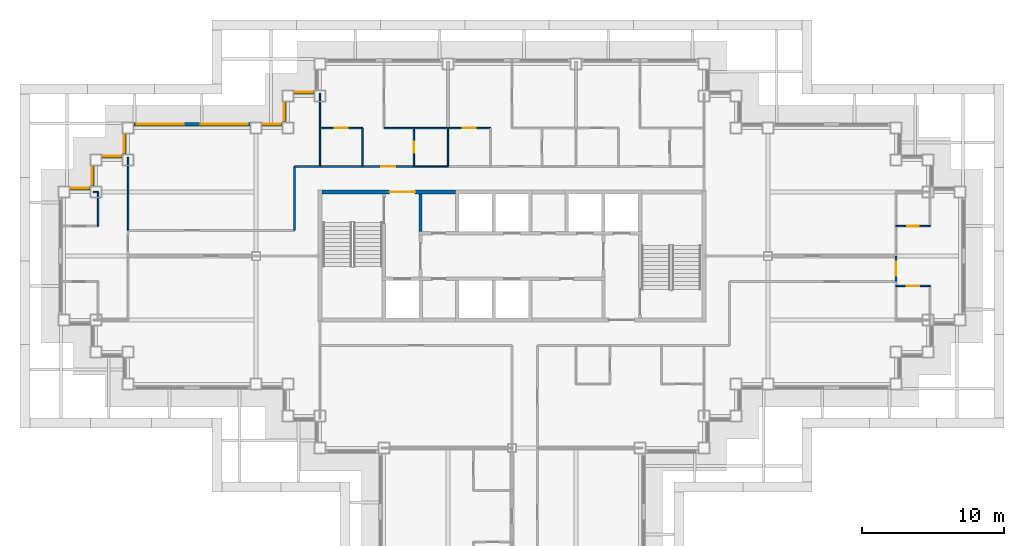
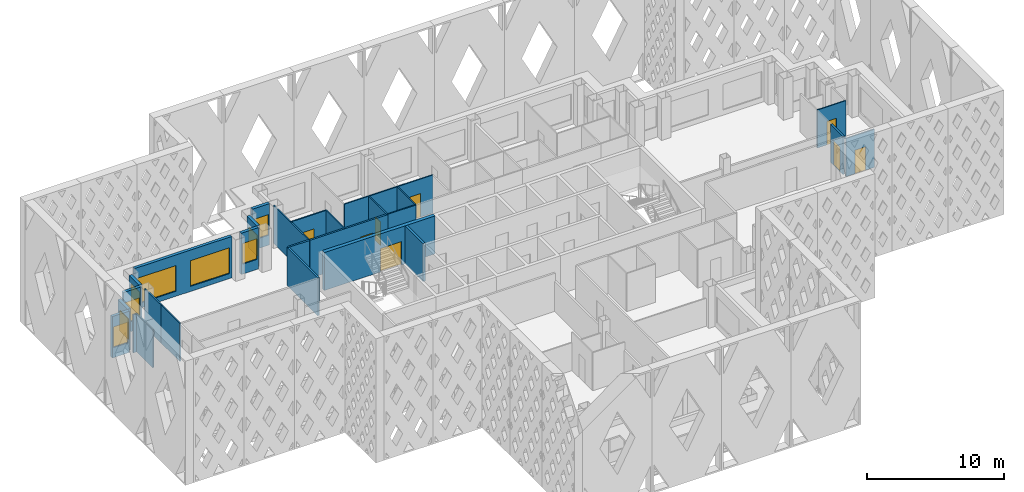
# One storey, part 7 of 18: 29 walls, 9 windows, 8 doors, 17 openings.
"""IFC4 building model written with IfcOpenShell, lengths in metres."""

import ifcopenshell
import ifcopenshell.guid

model = None  # the IFC model being written
_history = None  # IfcOwnerHistory: only IFC2X3 demands one
_inside = {}  # id of a spatial element -> (the spatial element, [elements in it])
_under = {}  # id of a project, library or spatial element -> (it, [spatial elements below it])
_declared = {}  # id of a project -> (the project, [libraries it declares])
_typed = {}  # id of a type object -> (the type object, [elements of that type])
_made_of = {}  # id of a material, layer set ... -> (it, [elements and type objects made of it])


def new_model(schema):
    """Start an empty IFC model of exactly this schema.

    Asked for "IFC4X3", IfcOpenShell would pick the latest addendum, in which some entities
    have other attributes; the version numbers below select the first issue.
    IFC2X3 requires an IfcOwnerHistory on every rooted entity: one is made here for all.
    """
    global model, _history
    if schema == "IFC4X3":
        model = ifcopenshell.file(schema_version=(4, 3, 0, 0))
    else:
        model = ifcopenshell.file(schema=schema)
    _inside.clear()
    _under.clear()
    _declared.clear()
    _typed.clear()
    _made_of.clear()
    _history = None
    if model.schema == "IFC2X3":
        org = make("IfcOrganization", Name="unknown")
        user = make(
            "IfcPersonAndOrganization",
            ThePerson=make("IfcPerson", FamilyName="unknown"),
            TheOrganization=org,
        )
        app = make(
            "IfcApplication",
            ApplicationDeveloper=org,
            Version="unknown",
            ApplicationFullName="unknown",
            ApplicationIdentifier="unknown",
        )
        _history = make(
            "IfcOwnerHistory",
            OwningUser=user,
            OwningApplication=app,
            ChangeAction="ADDED",
            CreationDate=0,
        )
    return model


def make(cls, **values):
    """One entity of the class cls with the attributes given. An attribute that is None is left unset."""
    return model.create_entity(
        cls, **{name: value for name, value in values.items() if value is not None}
    )


def rooted(cls, **values):
    """An entity with a GlobalId (a new one), such as an element, a storey or a relation."""
    return make(cls, GlobalId=ifcopenshell.guid.new(), OwnerHistory=_history, **values)


def si_unit(unit_type, name, prefix=None):
    """IfcSIUnit, for example si_unit("LENGTHUNIT", "METRE", prefix="MILLI")."""
    return make("IfcSIUnit", UnitType=unit_type, Prefix=prefix, Name=name)


def assignment(units):
    """IfcUnitAssignment: the units of a project."""
    return None if units is None else make("IfcUnitAssignment", Units=units)


def point(xyz):
    """IfcCartesianPoint."""
    return None if xyz is None else make("IfcCartesianPoint", Coordinates=xyz)


def direction(xyz):
    """IfcDirection."""
    return None if xyz is None else make("IfcDirection", DirectionRatios=xyz)


def frame(location, z_axis=None, x_axis=None):
    """IfcAxis2Placement3D, a coordinate frame: its origin and axes. An axis left out is left unset."""
    return make(
        "IfcAxis2Placement3D",
        Location=point(location),
        Axis=direction(z_axis),
        RefDirection=direction(x_axis),
    )


def frame_2d(location, x_axis=None):
    """IfcAxis2Placement2D, a coordinate frame in the plane: its origin and x axis."""
    return make(
        "IfcAxis2Placement2D", Location=point(location), RefDirection=direction(x_axis)
    )


def origin():
    """The frame at (0, 0, 0) with its axes left unset."""
    return frame((0.0, 0.0, 0.0))


def place(relative_to, where):
    """IfcLocalPlacement: puts the frame where relative to a parent placement (None: the world)."""
    return make(
        "IfcLocalPlacement", PlacementRelTo=relative_to, RelativePlacement=where
    )


def context(
    kind, dimensions, precision=None, world=None, true_north=None, identifier=None
):
    """IfcGeometricRepresentationContext, for example the 3D "Model" context."""
    return make(
        "IfcGeometricRepresentationContext",
        ContextIdentifier=identifier,
        ContextType=kind,
        CoordinateSpaceDimension=dimensions,
        Precision=precision,
        WorldCoordinateSystem=world,
        TrueNorth=true_north,
    )


def subcontext(parent, identifier, kind, view, scale=None):
    """IfcGeometricRepresentationSubContext, for example "Body" below "Model"."""
    return make(
        "IfcGeometricRepresentationSubContext",
        ContextIdentifier=identifier,
        ContextType=kind,
        ParentContext=parent,
        TargetScale=scale,
        TargetView=view,
    )


def project(units=None, contexts=None):
    """IfcProject with its units and contexts."""
    return rooted(
        "IfcProject",
        Name="project",
        RepresentationContexts=contexts,
        UnitsInContext=assignment(units),
    )


def spatial(cls, under=None, at=None, **own):
    """A site, building, storey or space (cls), placed at a placement, below another one or the project."""
    s = rooted(cls, ObjectPlacement=at, **own)
    if under is not None:
        _under.setdefault(under.id(), (under, []))[1].append(s)
    return s


def profile(cls, at=None, kind="AREA", **sizes):
    """A parametric profile (cls). Its sizes go by their IFC names, for example OverallWidth=200.0."""
    return make(cls, ProfileType=kind, Position=at, **sizes)


def rectangle(**sizes):
    """IfcRectangleProfileDef."""
    return profile("IfcRectangleProfileDef", **sizes)


def extrude(swept, where, along, depth):
    """IfcExtrudedAreaSolid: the profile swept, set in the frame where, extruded along a direction by depth."""
    return make(
        "IfcExtrudedAreaSolid",
        SweptArea=swept,
        Position=where,
        ExtrudedDirection=direction(along),
        Depth=depth,
    )


def shape(context_of_items, identifier, shape_type, items):
    """IfcShapeRepresentation: the items that make up one representation, for example the "Body"."""
    return make(
        "IfcShapeRepresentation",
        ContextOfItems=context_of_items,
        RepresentationIdentifier=identifier,
        RepresentationType=shape_type,
        Items=items,
    )


def material(Name=None, Category=None):
    """IfcMaterial."""
    return make("IfcMaterial", Name=Name, Category=Category)


def layer(
    of_material, thickness, ventilated=None, Name=None, Category=None, Priority=None
):
    """IfcMaterialLayer: one layer of a wall or slab, of a material (None: an air gap)."""
    return make(
        "IfcMaterialLayer",
        Material=of_material,
        LayerThickness=thickness,
        IsVentilated=ventilated,
        Name=Name,
        Category=Category,
        Priority=Priority,
    )


def layer_set(layers, Name=None):
    """IfcMaterialLayerSet."""
    return make("IfcMaterialLayerSet", MaterialLayers=layers, LayerSetName=Name)


def made_of(thing, what):
    """Note that an element or type object is made of a material, layer set ...; save() writes the relation."""
    if what is not None:
        _made_of.setdefault(what.id(), (what, []))[1].append(thing)
    return thing


def type_object(cls, material=None, **own):
    """A type object (cls), such as IfcWallType, which elements share."""
    return made_of(rooted(cls, **own), material)


def element(
    cls,
    number,
    at=None,
    inside=None,
    cuts=None,
    type_object=None,
    material=None,
    context=None,
    identifier="Body",
    shape_type=None,
    held_by="IfcProductDefinitionShape",
    body=None,
    shapes=None,
    **own,
):
    """One element of the class cls, such as IfcWall. Its Tag is "e" and its number.

    at: its placement. inside: the storey or other place that contains it. cuts: it is an
    opening in that element (IfcRelVoidsElement). A single representation is given by context,
    identifier, shape_type and body (its items); several are given by shapes. held_by: the class
    of the entity that holds the representations. save() writes the other relations.
    """
    e = rooted(cls, Tag="e%d" % number, ObjectPlacement=at, **own)
    if body is not None:
        shapes = [shape(context, identifier, shape_type, body)]
    if shapes is not None:
        e.Representation = make(held_by, Representations=shapes)
    if inside is not None:
        _inside.setdefault(inside.id(), (inside, []))[1].append(e)
    if cuts is not None:
        rooted(
            "IfcRelVoidsElement", RelatingBuildingElement=cuts, RelatedOpeningElement=e
        )
    if type_object is not None:
        _typed.setdefault(type_object.id(), (type_object, []))[1].append(e)
    return made_of(e, material)


def fill(opening, filler):
    """IfcRelFillsElement: the door or window that sits in an opening."""
    return rooted(
        "IfcRelFillsElement",
        RelatingOpeningElement=opening,
        RelatedBuildingElement=filler,
    )


def aggregate(whole, parts):
    """IfcRelAggregates: a whole, such as a stair, and the parts it consists of."""
    return rooted("IfcRelAggregates", RelatingObject=whole, RelatedObjects=parts)


def save(model, path):
    """Write the relations noted so far, then the file.

    IfcRelAggregates (storeys below a building ...), IfcRelContainedInSpatialStructure (elements
    in a storey), IfcRelDefinesByType, IfcRelAssociatesMaterial and IfcRelDeclares: one each for
    every whole, place, type object, material and project.
    """
    for whole, parts in _under.values():
        aggregate(whole, parts)
    for where, things in _inside.values():
        rooted(
            "IfcRelContainedInSpatialStructure",
            RelatedElements=things,
            RelatingStructure=where,
        )
    for kind, things in _typed.values():
        rooted("IfcRelDefinesByType", RelatedObjects=things, RelatingType=kind)
    for what, things in _made_of.values():
        rooted("IfcRelAssociatesMaterial", RelatedObjects=things, RelatingMaterial=what)
    for by, libraries in _declared.values():
        rooted("IfcRelDeclares", RelatingContext=by, RelatedDefinitions=libraries)
    model.write(path)


model = new_model("IFC4")

# Units and contexts
model_context = context("Model", 3, precision=1e-05, world=origin(), true_north=direction((0.0, 1.0)))
body_context = subcontext(model_context, "Body", "Model", "MODEL_VIEW")
ifc_project = project(units=[si_unit("LENGTHUNIT", "METRE"), si_unit("AREAUNIT", "SQUARE_METRE"), si_unit("VOLUMEUNIT", "CUBIC_METRE"), si_unit("PLANEANGLEUNIT", "RADIAN"), si_unit("MASSUNIT", "GRAM", prefix="KILO")], contexts=[model_context])

# Site, building, storey
site_placement = place(None, origin())
site = spatial("IfcSite", under=ifc_project, at=site_placement, CompositionType="ELEMENT")
building_placement = place(site_placement, origin())
building = spatial("IfcBuilding", under=site, at=building_placement, Name="Caravel Reach Hotel and Residences", CompositionType="ELEMENT")
storey_placement = place(building_placement, frame((0.0, 0.0, 165.39990234375)))
storey = spatial("IfcBuildingStorey", under=building, at=storey_placement, Name="L41", CompositionType="ELEMENT", Elevation=165.39990234375)

# Wall, opening, door
ifc_material_1 = material(Name="Gypsum board on steel stud", Category="steel")
ifc_layer_1 = layer(ifc_material_1, 0.10009765625)
ifc_layer_set_1 = layer_set([ifc_layer_1], Name="Bathroom pod wall 100 mm")
wall_type_1 = type_object("IfcWallType", Name="Bathroom pod wall 100 mm", PredefinedType="PARTITIONING", material=ifc_layer_set_1)
wall_1_placement = place(storey_placement, frame((58.5, 29.10009765625, 0.0), z_axis=(0.0, 0.0, 1.0), x_axis=(1.0, 0.0, 0.0)))
wall_1 = element("IfcWall", 1, at=wall_1_placement, inside=storey, type_object=wall_type_1, Name="L41 wall w082", PredefinedType="PARTITIONING", context=body_context, shape_type="SweptSolid", body=[
    extrude(rectangle(XDim=2.39990234375, YDim=0.10009765625, at=frame_2d((1.199951171875, 0.0))), origin(), (0.0, 0.0, 1.0), 3.400146484375),
])
opening_1_placement = place(wall_1_placement, frame((0.800048828125, 0.0, 0.0)))
opening_1 = element("IfcOpeningElement", 2, at=opening_1_placement, cuts=wall_1, Name="Opening D41-044", PredefinedType="OPENING", context=body_context, shape_type="SweptSolid", body=[
    extrude(rectangle(XDim=0.800048828125, YDim=2.10009765625, at=frame_2d((0.39990234375, 1.050048828125))), frame((0.0, 0.06005859375, 0.0), z_axis=(0.0, -1.0, 0.0), x_axis=(1.0, 0.0, 0.0)), (0.0, 0.0, 1.0), 0.1201171875),
])
ifc_material_2 = material(Name="Timber and steel door leaf", Category="steel")
door_type_1 = type_object("IfcDoorType", Name="Bathroom door 800 x 2100", OperationType="SINGLE_SWING_LEFT", PredefinedType="DOOR", material=ifc_material_2)
door_1_placement = place(opening_1_placement, origin())
door_1 = element("IfcDoor", 3, at=door_1_placement, inside=storey, type_object=door_type_1, Name="door D41-044", OperationType="SINGLE_SWING_LEFT", OverallHeight=2.10009765625, OverallWidth=0.800048828125, PredefinedType="DOOR", context=body_context, shape_type="SweptSolid", body=[
    extrude(rectangle(XDim=0.800048828125, YDim=2.10009765625, at=frame_2d((0.39990234375, 1.050048828125))), frame((0.0, 0.02490234375, 0.0), z_axis=(0.0, -1.0, 0.0), x_axis=(1.0, 0.0, 0.0)), (0.0, 0.0, 1.0), 0.050048828125),
])
fill(opening_1, door_1)

# Walls
for number, where, z_axis, x_axis, name in (
    (4, (24.60009765625, 33.300048828125, 0.0), (0.0, 0.0, 1.0), (1.0, 0.0, 0.0), "L41 wall w083"),
    (5, (24.60009765625, 36.0, 0.0), (0.0, 0.0, 1.0), (1.0, 0.0, 0.0), "L41 wall w086"),
):
    element("IfcWall", number, at=place(storey_placement, frame(where, z_axis=z_axis, x_axis=x_axis)), inside=storey, type_object=wall_type_1, Name=name, PredefinedType="PARTITIONING", context=body_context, shape_type="SweptSolid", body=[
        extrude(rectangle(XDim=2.39990234375, YDim=0.10009765625, at=frame_2d((1.199951171875, 0.0))), origin(), (0.0, 0.0, 1.0), 3.400146484375),
    ])

# Wall, opening, door
wall_2_placement = place(storey_placement, frame((24.60009765625, 33.300048828125, 0.0), z_axis=(0.0, 0.0, 1.0), x_axis=(0.0, 1.0, 0.0)))
wall_2 = element("IfcWall", 6, at=wall_2_placement, inside=storey, type_object=wall_type_1, Name="L41 wall w092", PredefinedType="PARTITIONING", context=body_context, shape_type="SweptSolid", body=[
    extrude(rectangle(XDim=2.699951171875, YDim=0.10009765625, at=frame_2d((1.35009765625, 0.0))), origin(), (0.0, 0.0, 1.0), 3.400146484375),
])
opening_2_placement = place(wall_2_placement, frame((0.949951171875, 0.0, 0.0)))
opening_2 = element("IfcOpeningElement", 7, at=opening_2_placement, cuts=wall_2, Name="Opening D41-018", PredefinedType="OPENING", context=body_context, shape_type="SweptSolid", body=[
    extrude(rectangle(XDim=0.800048828125, YDim=2.10009765625, at=frame_2d((0.39990234375, 1.050048828125))), frame((0.0, 0.06005859375, 0.0), z_axis=(0.0, -1.0, 0.0), x_axis=(1.0, 0.0, 0.0)), (0.0, 0.0, 1.0), 0.1201171875),
])
door_2_placement = place(opening_2_placement, origin())
door_2 = element("IfcDoor", 8, at=door_2_placement, inside=storey, type_object=door_type_1, Name="door D41-018", OperationType="SINGLE_SWING_LEFT", OverallHeight=2.10009765625, OverallWidth=0.800048828125, PredefinedType="DOOR", context=body_context, shape_type="SweptSolid", body=[
    extrude(rectangle(XDim=0.800048828125, YDim=2.10009765625, at=frame_2d((0.39990234375, 1.050048828125))), frame((0.0, 0.02490234375, 0.0), z_axis=(0.0, -1.0, 0.0), x_axis=(1.0, 0.0, 0.0)), (0.0, 0.0, 1.0), 0.050048828125),
])
fill(opening_2, door_2)

# Walls
wall_3_placement = place(storey_placement, frame((27.0, 33.300048828125, 0.0), z_axis=(0.0, 0.0, 1.0), x_axis=(0.0, 1.0, 0.0)))
element("IfcWall", 9, at=wall_3_placement, inside=storey, type_object=wall_type_1, Name="L41 wall w093", PredefinedType="PARTITIONING", context=body_context, shape_type="SweptSolid", body=[
    extrude(rectangle(XDim=2.699951171875, YDim=0.10009765625, at=frame_2d((1.35009765625, 0.0))), origin(), (0.0, 0.0, 1.0), 3.400146484375),
])
ifc_material_3 = material(Name="Autoclaved aerated block wall")
ifc_layer_2 = layer(ifc_material_3, 0.199951171875)
ifc_layer_set_2 = layer_set([ifc_layer_2], Name="Compartment wall 200 mm EI 120")
wall_type_2 = type_object("IfcWallType", Name="Compartment wall 200 mm EI 120", PredefinedType="PARTITIONING", material=ifc_layer_set_2)
wall_4_placement = place(storey_placement, frame((25.071533203125, 28.72509765625, 0.0), z_axis=(0.0, 0.0, 1.0), x_axis=(0.0, 1.0, 0.0)))
element("IfcWall", 10, at=wall_4_placement, inside=storey, type_object=wall_type_2, Name="L41 store partition", PredefinedType="PARTITIONING", context=body_context, shape_type="SweptSolid", body=[
    extrude(rectangle(XDim=2.625, YDim=0.199951171875, at=frame_2d((1.3125, 0.0))), origin(), (0.0, 0.0, 1.0), 3.400146484375),
])

# Wall, opening, door
ifc_material_4 = material(Name="Concrete C60", Category="concrete")
ifc_layer_3 = layer(ifc_material_4, 0.300048828125)
ifc_layer_set_3 = layer_set([ifc_layer_3], Name="Core wall 300 mm EI 120")
wall_type_3 = type_object("IfcWallType", Name="Core wall 300 mm EI 120", PredefinedType="SHEAR", material=ifc_layer_set_3)
wall_5_placement = place(storey_placement, frame((18.14990234375, 31.5, 0.0), z_axis=(0.0, 0.0, 1.0), x_axis=(1.0, 0.0, 0.0)))
wall_5 = element("IfcWall", 11, at=wall_5_placement, inside=storey, type_object=wall_type_3, Name="L41 core wall N1", PredefinedType="SHEAR", context=body_context, shape_type="SweptSolid", body=[
    extrude(rectangle(XDim=9.367919921875, YDim=0.300048828125, at=frame_2d((4.68408203125, 0.0))), origin(), (0.0, 0.0, 1.0), 3.400146484375),
])
opening_3_placement = place(wall_5_placement, frame((4.735595703125, 0.0, 0.0)))
opening_3 = element("IfcOpeningElement", 12, at=opening_3_placement, cuts=wall_5, Name="Opening D41-014", PredefinedType="OPENING", context=body_context, shape_type="SweptSolid", body=[
    extrude(rectangle(XDim=1.800048828125, YDim=2.10009765625, at=frame_2d((0.89990234375, 1.050048828125))), frame((0.0, 0.159912109375, 0.0), z_axis=(0.0, -1.0, 0.0), x_axis=(1.0, 0.0, 0.0)), (0.0, 0.0, 1.0), 0.320068359375),
])
ifc_material_5 = material(Name="Steel fire door leaf", Category="steel")
door_type_2 = type_object("IfcDoorType", Name="Fire lobby door pair 1800 x 2100 EI 90", OperationType="DOUBLE_DOOR_SINGLE_SWING", PredefinedType="DOOR", material=ifc_material_5)
door_3_placement = place(opening_3_placement, origin())
door_3 = element("IfcDoor", 13, at=door_3_placement, inside=storey, type_object=door_type_2, Name="lobby N door pair to corridor", OperationType="DOUBLE_DOOR_SINGLE_SWING", OverallHeight=2.10009765625, OverallWidth=1.800048828125, PredefinedType="DOOR", context=body_context, shape_type="SweptSolid", body=[
    extrude(rectangle(XDim=1.800048828125, YDim=2.10009765625, at=frame_2d((0.89990234375, 1.050048828125))), frame((0.0, 0.02490234375, 0.0), z_axis=(0.0, -1.0, 0.0), x_axis=(1.0, 0.0, 0.0)), (0.0, 0.0, 1.0), 0.050048828125),
])
fill(opening_3, door_3)

ifc_material_6 = material(Name="Gypsum board on steel stud, fire-rated", Category="steel")
ifc_layer_4 = layer(ifc_material_6, 0.14990234375)
ifc_layer_set_4 = layer_set([ifc_layer_4], Name="Corridor wall 150 mm EI 60")
wall_type_4 = type_object("IfcWallType", Name="Corridor wall 150 mm EI 60", PredefinedType="PARTITIONING", material=ifc_layer_set_4)
wall_6_placement = place(storey_placement, frame((18.0, 33.300048828125, 0.0), z_axis=(0.0, 0.0, 1.0), x_axis=(1.0, 0.0, 0.0)))
wall_6 = element("IfcWall", 14, at=wall_6_placement, inside=storey, type_object=wall_type_4, Name="L41 wall w013", PredefinedType="PARTITIONING", context=body_context, shape_type="SweptSolid", body=[
    extrude(rectangle(XDim=6.60009765625, YDim=0.14990234375, at=frame_2d((3.300048828125, 0.0))), origin(), (0.0, 0.0, 1.0), 3.400146484375),
])
opening_4_placement = place(wall_6_placement, frame((4.300048828125, 0.0, 0.0)))
opening_4 = element("IfcOpeningElement", 15, at=opening_4_placement, cuts=wall_6, Name="Opening D41-016", PredefinedType="OPENING", context=body_context, shape_type="SweptSolid", body=[
    extrude(rectangle(XDim=1.0, YDim=2.199951171875, at=frame_2d((0.5, 1.10009765625))), frame((0.0, 0.0849609375, 0.0), z_axis=(0.0, -1.0, 0.0), x_axis=(1.0, 0.0, 0.0)), (0.0, 0.0, 1.0), 0.169921875),
])
ifc_material_7 = material(Name="Steel fire door leaf", Category="steel")
door_type_3 = type_object("IfcDoorType", Name="Flat entrance door 1000 x 2200 EI 60", OperationType="SINGLE_SWING_LEFT", PredefinedType="DOOR", material=ifc_material_7)
door_4_placement = place(opening_4_placement, origin())
door_4 = element("IfcDoor", 16, at=door_4_placement, inside=storey, type_object=door_type_3, Name="door D41-016", OperationType="SINGLE_SWING_RIGHT", OverallHeight=2.199951171875, OverallWidth=1.0, PredefinedType="DOOR", context=body_context, shape_type="SweptSolid", body=[
    extrude(rectangle(XDim=1.0, YDim=2.199951171875, at=frame_2d((0.5, 1.10009765625))), frame((0.0, 0.02490234375, 0.0), z_axis=(0.0, -1.0, 0.0), x_axis=(1.0, 0.0, 0.0)), (0.0, 0.0, 1.0), 0.050048828125),
])
fill(opening_4, door_4)

# Walls
wall_7_placement = place(storey_placement, frame((16.199951171875, 33.300048828125, 0.0), z_axis=(0.0, 0.0, 1.0), x_axis=(1.0, 0.0, 0.0)))
element("IfcWall", 17, at=wall_7_placement, inside=storey, type_object=wall_type_4, Name="L41 wall w018", PredefinedType="PARTITIONING", context=body_context, shape_type="SweptSolid", body=[
    extrude(rectangle(XDim=1.799072265625, YDim=0.14990234375, at=frame_2d((0.8994140625, 0.0))), origin(), (0.0, 0.0, 1.0), 3.400146484375),
])
wall_8_placement = place(storey_placement, frame((16.199951171875, 28.801025390625, 0.0), z_axis=(0.0, 0.0, 1.0), x_axis=(0.0, 1.0, 0.0)))
element("IfcWall", 18, at=wall_8_placement, inside=storey, type_object=wall_type_4, Name="L41 wall w020", PredefinedType="PARTITIONING", context=body_context, shape_type="SweptSolid", body=[
    extrude(rectangle(XDim=4.4990234375, YDim=0.14990234375, at=frame_2d((2.24951171875, 0.0))), origin(), (0.0, 0.0, 1.0), 3.400146484375),
])

# Wall, opening, door
wall_9_placement = place(storey_placement, frame((58.5, 25.199951171875, 0.0), z_axis=(0.0, 0.0, 1.0), x_axis=(0.0, 1.0, 0.0)))
wall_9 = element("IfcWall", 19, at=wall_9_placement, inside=storey, type_object=wall_type_4, Name="L41 wall w030", PredefinedType="PARTITIONING", context=body_context, shape_type="SweptSolid", body=[
    extrude(rectangle(XDim=1.800048828125, YDim=0.14990234375, at=frame_2d((0.89990234375, 0.0))), origin(), (0.0, 0.0, 1.0), 3.400146484375),
])
opening_5_placement = place(wall_9_placement, frame((0.39990234375, 0.0, 0.0)))
opening_5 = element("IfcOpeningElement", 20, at=opening_5_placement, cuts=wall_9, Name="Opening D41-043", PredefinedType="OPENING", context=body_context, shape_type="SweptSolid", body=[
    extrude(rectangle(XDim=1.0, YDim=2.199951171875, at=frame_2d((0.5, 1.10009765625))), frame((0.0, 0.0849609375, 0.0), z_axis=(0.0, -1.0, 0.0), x_axis=(1.0, 0.0, 0.0)), (0.0, 0.0, 1.0), 0.169921875),
])
door_5_placement = place(opening_5_placement, origin())
door_5 = element("IfcDoor", 21, at=door_5_placement, inside=storey, type_object=door_type_3, Name="door D41-043", OperationType="SINGLE_SWING_LEFT", OverallHeight=2.199951171875, OverallWidth=1.0, PredefinedType="DOOR", context=body_context, shape_type="SweptSolid", body=[
    extrude(rectangle(XDim=1.0, YDim=2.199951171875, at=frame_2d((0.5, 1.10009765625))), frame((0.0, 0.02490234375, 0.0), z_axis=(0.0, -1.0, 0.0), x_axis=(1.0, 0.0, 0.0)), (0.0, 0.0, 1.0), 0.050048828125),
])
fill(opening_5, door_5)

# Wall, opening, window
ifc_material_8 = material(Name="Insulated rainscreen wall, aluminium cladding", Category="aluminium")
ifc_layer_5 = layer(ifc_material_8, 0.25)
ifc_layer_set_5 = layer_set([ifc_layer_5], Name="EW1 Tower rainscreen wall")
wall_type_5 = type_object("IfcWallType", Name="EW1 Tower rainscreen wall", PredefinedType="SOLIDWALL", material=ifc_layer_set_5)
wall_10_placement = place(storey_placement, frame((17.60009765625, 38.52490234375, 0.0), z_axis=(0.0, 0.0, 1.0), x_axis=(-1.0, 0.0, 0.0)))
wall_10 = element("IfcWall", 22, at=wall_10_placement, inside=storey, type_object=wall_type_5, Name="External wall L41 N31.1", PredefinedType="SOLIDWALL", context=body_context, shape_type="SweptSolid", body=[
    extrude(rectangle(XDim=1.4501953125, YDim=0.25, at=frame_2d((0.72509765625, 0.0))), origin(), (0.0, 0.0, 1.0), 3.7001953125),
])
opening_6_placement = place(wall_10_placement, frame((0.10009765625, 0.0, 0.89990234375)))
opening_6 = element("IfcOpeningElement", 23, at=opening_6_placement, cuts=wall_10, Name="Opening WN13", PredefinedType="OPENING", context=body_context, shape_type="SweptSolid", body=[
    extrude(rectangle(XDim=1.25, YDim=1.85009765625, at=frame_2d((0.625, 0.925048828125))), frame((0.0, 0.135009765625, 0.0), z_axis=(0.0, -1.0, 0.0), x_axis=(1.0, 0.0, 0.0)), (0.0, 0.0, 1.0), 0.27001953125),
])
ifc_material_9 = material(Name="Dark low-e glazing in black aluminium frame", Category="aluminium")
window_type_1 = type_object("IfcWindowType", Name="Residence bedroom window 1250 x 1850", PartitioningType="SINGLE_PANEL", PredefinedType="WINDOW", material=ifc_material_9)
window_1_placement = place(opening_6_placement, origin())
window_1 = element("IfcWindow", 24, at=window_1_placement, inside=storey, type_object=window_type_1, Name="Window L41 N31.1.1", OverallHeight=1.85009765625, OverallWidth=1.25, PartitioningType="SINGLE_PANEL", PredefinedType="WINDOW", context=body_context, shape_type="SweptSolid", body=[
    extrude(rectangle(XDim=1.25, YDim=1.85009765625, at=frame_2d((0.625, 0.925048828125))), frame((0.0, 0.030029296875, 0.0), z_axis=(0.0, -1.0, 0.0), x_axis=(1.0, 0.0, 0.0)), (0.0, 0.0, 1.0), 0.06005859375),
])
fill(opening_6, window_1)

wall_11_placement = place(storey_placement, frame((15.47509765625, 37.85009765625, 0.0), z_axis=(0.0, 0.0, 1.0), x_axis=(0.0, -1.0, 0.0)))
wall_11 = element("IfcWall", 25, at=wall_11_placement, inside=storey, type_object=wall_type_5, Name="External wall L41 W32.1", PredefinedType="SOLIDWALL", context=body_context, shape_type="SweptSolid", body=[
    extrude(rectangle(XDim=1.4501953125, YDim=0.25, at=frame_2d((0.72509765625, 0.0))), origin(), (0.0, 0.0, 1.0), 3.7001953125),
])
opening_7_placement = place(wall_11_placement, frame((0.10009765625, 0.0, 0.89990234375)))
opening_7 = element("IfcOpeningElement", 26, at=opening_7_placement, cuts=wall_11, Name="Opening WN13", PredefinedType="OPENING", context=body_context, shape_type="SweptSolid", body=[
    extrude(rectangle(XDim=1.25, YDim=1.85009765625, at=frame_2d((0.625, 0.925048828125))), frame((0.0, 0.135009765625, 0.0), z_axis=(0.0, -1.0, 0.0), x_axis=(1.0, 0.0, 0.0)), (0.0, 0.0, 1.0), 0.27001953125),
])
window_2_placement = place(opening_7_placement, origin())
window_2 = element("IfcWindow", 27, at=window_2_placement, inside=storey, type_object=window_type_1, Name="Window L41 W32.1.1", OverallHeight=1.85009765625, OverallWidth=1.25, PartitioningType="SINGLE_PANEL", PredefinedType="WINDOW", context=body_context, shape_type="SweptSolid", body=[
    extrude(rectangle(XDim=1.25, YDim=1.85009765625, at=frame_2d((0.625, 0.925048828125))), frame((0.0, 0.030029296875, 0.0), z_axis=(0.0, -1.0, 0.0), x_axis=(1.0, 0.0, 0.0)), (0.0, 0.0, 1.0), 0.06005859375),
])
fill(opening_7, window_2)

wall_12_placement = place(storey_placement, frame((15.35009765625, 36.27490234375, 0.0), z_axis=(0.0, 0.0, 1.0), x_axis=(-1.0, 0.0, 0.0)))
wall_12 = element("IfcWall", 28, at=wall_12_placement, inside=storey, type_object=wall_type_5, Name="External wall L41 N33.1", PredefinedType="SOLIDWALL", context=body_context, shape_type="SweptSolid", body=[
    extrude(rectangle(XDim=1.4501953125, YDim=0.25, at=frame_2d((0.72509765625, 0.0))), origin(), (0.0, 0.0, 1.0), 3.7001953125),
])
opening_8_placement = place(wall_12_placement, frame((0.10009765625, 0.0, 0.89990234375)))
opening_8 = element("IfcOpeningElement", 29, at=opening_8_placement, cuts=wall_12, Name="Opening WN13", PredefinedType="OPENING", context=body_context, shape_type="SweptSolid", body=[
    extrude(rectangle(XDim=1.25, YDim=1.85009765625, at=frame_2d((0.625, 0.925048828125))), frame((0.0, 0.135009765625, 0.0), z_axis=(0.0, -1.0, 0.0), x_axis=(1.0, 0.0, 0.0)), (0.0, 0.0, 1.0), 0.27001953125),
])
window_3_placement = place(opening_8_placement, origin())
window_3 = element("IfcWindow", 30, at=window_3_placement, inside=storey, type_object=window_type_1, Name="Window L41 N33.1.1", OverallHeight=1.85009765625, OverallWidth=1.25, PartitioningType="SINGLE_PANEL", PredefinedType="WINDOW", context=body_context, shape_type="SweptSolid", body=[
    extrude(rectangle(XDim=1.25, YDim=1.85009765625, at=frame_2d((0.625, 0.925048828125))), frame((0.0, 0.030029296875, 0.0), z_axis=(0.0, -1.0, 0.0), x_axis=(1.0, 0.0, 0.0)), (0.0, 0.0, 1.0), 0.06005859375),
])
fill(opening_8, window_3)

# Wall, openings, windows
wall_13_placement = place(storey_placement, frame((13.10009765625, 36.27490234375, 0.0), z_axis=(0.0, 0.0, 1.0), x_axis=(-1.0, 0.0, 0.0)))
wall_13 = element("IfcWall", 31, at=wall_13_placement, inside=storey, type_object=wall_type_5, Name="External wall L41 N33.2", PredefinedType="SOLIDWALL", context=body_context, shape_type="SweptSolid", body=[
    extrude(rectangle(XDim=8.2001953125, YDim=0.25, at=frame_2d((4.10009765625, 0.0))), origin(), (0.0, 0.0, 1.0), 3.7001953125),
])
opening_9_placement = place(wall_13_placement, frame((0.199951171875, 0.0, 0.449951171875)))
opening_9 = element("IfcOpeningElement", 32, at=opening_9_placement, cuts=wall_13, Name="Opening WN15", PredefinedType="OPENING", context=body_context, shape_type="SweptSolid", body=[
    extrude(rectangle(XDim=3.300048828125, YDim=2.300048828125, at=frame_2d((1.64990234375, 1.14990234375))), frame((0.0, 0.135009765625, 0.0), z_axis=(0.0, -1.0, 0.0), x_axis=(1.0, 0.0, 0.0)), (0.0, 0.0, 1.0), 0.27001953125),
])
opening_10_placement = place(wall_13_placement, frame((4.699951171875, 0.0, 0.449951171875)))
opening_10 = element("IfcOpeningElement", 33, at=opening_10_placement, cuts=wall_13, Name="Opening WN15", PredefinedType="OPENING", context=body_context, shape_type="SweptSolid", body=[
    extrude(rectangle(XDim=3.300048828125, YDim=2.300048828125, at=frame_2d((1.64990234375, 1.14990234375))), frame((0.0, 0.135009765625, 0.0), z_axis=(0.0, -1.0, 0.0), x_axis=(1.0, 0.0, 0.0)), (0.0, 0.0, 1.0), 0.27001953125),
])
ifc_material_10 = material(Name="Dark low-e glazing in black aluminium frame", Category="aluminium")
window_type_2 = type_object("IfcWindowType", Name="Residence living window 3300 x 2300", PartitioningType="SINGLE_PANEL", PredefinedType="WINDOW", material=ifc_material_10)
window_4_placement = place(opening_9_placement, origin())
window_4 = element("IfcWindow", 34, at=window_4_placement, inside=storey, type_object=window_type_2, Name="Window L41 N33.2.1", OverallHeight=2.300048828125, OverallWidth=3.300048828125, PartitioningType="SINGLE_PANEL", PredefinedType="WINDOW", context=body_context, shape_type="SweptSolid", body=[
    extrude(rectangle(XDim=3.300048828125, YDim=2.300048828125, at=frame_2d((1.64990234375, 1.14990234375))), frame((0.0, 0.030029296875, 0.0), z_axis=(0.0, -1.0, 0.0), x_axis=(1.0, 0.0, 0.0)), (0.0, 0.0, 1.0), 0.06005859375),
])
fill(opening_9, window_4)
window_5_placement = place(opening_10_placement, origin())
window_5 = element("IfcWindow", 35, at=window_5_placement, inside=storey, type_object=window_type_2, Name="Window L41 N33.2.2", OverallHeight=2.300048828125, OverallWidth=3.300048828125, PartitioningType="SINGLE_PANEL", PredefinedType="WINDOW", context=body_context, shape_type="SweptSolid", body=[
    extrude(rectangle(XDim=3.300048828125, YDim=2.300048828125, at=frame_2d((1.64990234375, 1.14990234375))), frame((0.0, 0.030029296875, 0.0), z_axis=(0.0, -1.0, 0.0), x_axis=(1.0, 0.0, 0.0)), (0.0, 0.0, 1.0), 0.06005859375),
])
fill(opening_10, window_5)

# Wall, opening, window
wall_14_placement = place(storey_placement, frame((4.22509765625, 35.60009765625, 0.0), z_axis=(0.0, 0.0, 1.0), x_axis=(0.0, -1.0, 0.0)))
wall_14 = element("IfcWall", 36, at=wall_14_placement, inside=storey, type_object=wall_type_5, Name="External wall L41 W34.1", PredefinedType="SOLIDWALL", context=body_context, shape_type="SweptSolid", body=[
    extrude(rectangle(XDim=1.4501953125, YDim=0.25, at=frame_2d((0.72509765625, 0.0))), origin(), (0.0, 0.0, 1.0), 3.7001953125),
])
opening_11_placement = place(wall_14_placement, frame((0.10009765625, 0.0, 0.89990234375)))
opening_11 = element("IfcOpeningElement", 37, at=opening_11_placement, cuts=wall_14, Name="Opening WN12", PredefinedType="OPENING", context=body_context, shape_type="SweptSolid", body=[
    extrude(rectangle(XDim=1.25, YDim=2.080078125, at=frame_2d((0.625, 1.0400390625))), frame((0.0, 0.135009765625, 0.0), z_axis=(0.0, -1.0, 0.0), x_axis=(1.0, 0.0, 0.0)), (0.0, 0.0, 1.0), 0.27001953125),
])
ifc_material_11 = material(Name="Dark low-e glazing in black aluminium frame", Category="aluminium")
window_type_3 = type_object("IfcWindowType", Name="Residence bedroom window 1250 x 2080", PartitioningType="SINGLE_PANEL", PredefinedType="WINDOW", material=ifc_material_11)
window_6_placement = place(opening_11_placement, origin())
window_6 = element("IfcWindow", 38, at=window_6_placement, inside=storey, type_object=window_type_3, Name="Window L41 W34.1.1", OverallHeight=2.080078125, OverallWidth=1.25, PartitioningType="SINGLE_PANEL", PredefinedType="WINDOW", context=body_context, shape_type="SweptSolid", body=[
    extrude(rectangle(XDim=1.25, YDim=2.080078125, at=frame_2d((0.625, 1.0400390625))), frame((0.0, 0.030029296875, 0.0), z_axis=(0.0, -1.0, 0.0), x_axis=(1.0, 0.0, 0.0)), (0.0, 0.0, 1.0), 0.06005859375),
])
fill(opening_11, window_6)

wall_15_placement = place(storey_placement, frame((4.10009765625, 34.02490234375, 0.0), z_axis=(0.0, 0.0, 1.0), x_axis=(-1.0, 0.0, 0.0)))
wall_15 = element("IfcWall", 39, at=wall_15_placement, inside=storey, type_object=wall_type_5, Name="External wall L41 N35.1", PredefinedType="SOLIDWALL", context=body_context, shape_type="SweptSolid", body=[
    extrude(rectangle(XDim=1.4501953125, YDim=0.25, at=frame_2d((0.72509765625, 0.0))), origin(), (0.0, 0.0, 1.0), 3.7001953125),
])
opening_12_placement = place(wall_15_placement, frame((0.10009765625, 0.0, 0.89990234375)))
opening_12 = element("IfcOpeningElement", 40, at=opening_12_placement, cuts=wall_15, Name="Opening WN13", PredefinedType="OPENING", context=body_context, shape_type="SweptSolid", body=[
    extrude(rectangle(XDim=1.25, YDim=1.85009765625, at=frame_2d((0.625, 0.925048828125))), frame((0.0, 0.135009765625, 0.0), z_axis=(0.0, -1.0, 0.0), x_axis=(1.0, 0.0, 0.0)), (0.0, 0.0, 1.0), 0.27001953125),
])
window_7_placement = place(opening_12_placement, origin())
window_7 = element("IfcWindow", 41, at=window_7_placement, inside=storey, type_object=window_type_1, Name="Window L41 N35.1.1", OverallHeight=1.85009765625, OverallWidth=1.25, PartitioningType="SINGLE_PANEL", PredefinedType="WINDOW", context=body_context, shape_type="SweptSolid", body=[
    extrude(rectangle(XDim=1.25, YDim=1.85009765625, at=frame_2d((0.625, 0.925048828125))), frame((0.0, 0.030029296875, 0.0), z_axis=(0.0, -1.0, 0.0), x_axis=(1.0, 0.0, 0.0)), (0.0, 0.0, 1.0), 0.06005859375),
])
fill(opening_12, window_7)

wall_16_placement = place(storey_placement, frame((1.97509765625, 33.35009765625, 0.0), z_axis=(0.0, 0.0, 1.0), x_axis=(0.0, -1.0, 0.0)))
wall_16 = element("IfcWall", 42, at=wall_16_placement, inside=storey, type_object=wall_type_5, Name="External wall L41 W36.1", PredefinedType="SOLIDWALL", context=body_context, shape_type="SweptSolid", body=[
    extrude(rectangle(XDim=1.4501953125, YDim=0.25, at=frame_2d((0.72509765625, 0.0))), origin(), (0.0, 0.0, 1.0), 3.7001953125),
])
opening_13_placement = place(wall_16_placement, frame((0.10009765625, 0.0, 0.89990234375)))
opening_13 = element("IfcOpeningElement", 43, at=opening_13_placement, cuts=wall_16, Name="Opening WN13", PredefinedType="OPENING", context=body_context, shape_type="SweptSolid", body=[
    extrude(rectangle(XDim=1.25, YDim=1.85009765625, at=frame_2d((0.625, 0.925048828125))), frame((0.0, 0.135009765625, 0.0), z_axis=(0.0, -1.0, 0.0), x_axis=(1.0, 0.0, 0.0)), (0.0, 0.0, 1.0), 0.27001953125),
])
window_8_placement = place(opening_13_placement, origin())
window_8 = element("IfcWindow", 44, at=window_8_placement, inside=storey, type_object=window_type_1, Name="Window L41 W36.1.1", OverallHeight=1.85009765625, OverallWidth=1.25, PartitioningType="SINGLE_PANEL", PredefinedType="WINDOW", context=body_context, shape_type="SweptSolid", body=[
    extrude(rectangle(XDim=1.25, YDim=1.85009765625, at=frame_2d((0.625, 0.925048828125))), frame((0.0, 0.030029296875, 0.0), z_axis=(0.0, -1.0, 0.0), x_axis=(1.0, 0.0, 0.0)), (0.0, 0.0, 1.0), 0.06005859375),
])
fill(opening_13, window_8)

wall_17_placement = place(storey_placement, frame((1.85009765625, 31.77490234375, 0.0), z_axis=(0.0, 0.0, 1.0), x_axis=(-1.0, 0.0, 0.0)))
wall_17 = element("IfcWall", 45, at=wall_17_placement, inside=storey, type_object=wall_type_5, Name="External wall L41 N37.1", PredefinedType="SOLIDWALL", context=body_context, shape_type="SweptSolid", body=[
    extrude(rectangle(XDim=1.4501953125, YDim=0.25, at=frame_2d((0.72509765625, 0.0))), origin(), (0.0, 0.0, 1.0), 3.7001953125),
])
opening_14_placement = place(wall_17_placement, frame((0.10009765625, 0.0, 0.89990234375)))
opening_14 = element("IfcOpeningElement", 46, at=opening_14_placement, cuts=wall_17, Name="Opening WN13", PredefinedType="OPENING", context=body_context, shape_type="SweptSolid", body=[
    extrude(rectangle(XDim=1.25, YDim=1.85009765625, at=frame_2d((0.625, 0.925048828125))), frame((0.0, 0.135009765625, 0.0), z_axis=(0.0, -1.0, 0.0), x_axis=(1.0, 0.0, 0.0)), (0.0, 0.0, 1.0), 0.27001953125),
])
window_9_placement = place(opening_14_placement, origin())
window_9 = element("IfcWindow", 47, at=window_9_placement, inside=storey, type_object=window_type_1, Name="Window L41 N37.1.1", OverallHeight=1.85009765625, OverallWidth=1.25, PartitioningType="SINGLE_PANEL", PredefinedType="WINDOW", context=body_context, shape_type="SweptSolid", body=[
    extrude(rectangle(XDim=1.25, YDim=1.85009765625, at=frame_2d((0.625, 0.925048828125))), frame((0.0, 0.030029296875, 0.0), z_axis=(0.0, -1.0, 0.0), x_axis=(1.0, 0.0, 0.0)), (0.0, 0.0, 1.0), 0.06005859375),
])
fill(opening_14, window_9)

# Wall, opening, door
ifc_material_12 = material(Name="Gypsum board on steel stud", Category="steel")
ifc_layer_6 = layer(ifc_material_12, 0.10009765625)
ifc_layer_set_6 = layer_set([ifc_layer_6], Name="Partition 100 mm")
wall_type_6 = type_object("IfcWallType", Name="Partition 100 mm", PredefinedType="PARTITIONING", material=ifc_layer_set_6)
wall_18_placement = place(storey_placement, frame((58.5, 24.89990234375, 0.0), z_axis=(0.0, 0.0, 1.0), x_axis=(1.0, 0.0, 0.0)))
wall_18 = element("IfcWall", 48, at=wall_18_placement, inside=storey, type_object=wall_type_6, Name="L41 wall w040", PredefinedType="PARTITIONING", context=body_context, shape_type="SweptSolid", body=[
    extrude(rectangle(XDim=2.39990234375, YDim=0.10009765625, at=frame_2d((1.199951171875, 0.0))), origin(), (0.0, 0.0, 1.0), 3.400146484375),
])
opening_15_placement = place(wall_18_placement, frame((0.75, 0.0, 0.0)))
opening_15 = element("IfcOpeningElement", 49, at=opening_15_placement, cuts=wall_18, Name="Opening D41-045", PredefinedType="OPENING", context=body_context, shape_type="SweptSolid", body=[
    extrude(rectangle(XDim=0.89990234375, YDim=2.10009765625, at=frame_2d((0.449951171875, 1.050048828125))), frame((0.0, 0.06005859375, 0.0), z_axis=(0.0, -1.0, 0.0), x_axis=(1.0, 0.0, 0.0)), (0.0, 0.0, 1.0), 0.1201171875),
])
ifc_material_13 = material(Name="Timber and steel door leaf", Category="steel")
door_type_4 = type_object("IfcDoorType", Name="Door 900 x 2100 timber", OperationType="SINGLE_SWING_LEFT", PredefinedType="DOOR", material=ifc_material_13)
door_6_placement = place(opening_15_placement, origin())
door_6 = element("IfcDoor", 50, at=door_6_placement, inside=storey, type_object=door_type_4, Name="door D41-045", OperationType="SINGLE_SWING_RIGHT", OverallHeight=2.10009765625, OverallWidth=0.89990234375, PredefinedType="DOOR", context=body_context, shape_type="SweptSolid", body=[
    extrude(rectangle(XDim=0.89990234375, YDim=2.10009765625, at=frame_2d((0.449951171875, 1.050048828125))), frame((0.0, 0.02490234375, 0.0), z_axis=(0.0, -1.0, 0.0), x_axis=(1.0, 0.0, 0.0)), (0.0, 0.0, 1.0), 0.050048828125),
])
fill(opening_15, door_6)

# Walls
wall_19_placement = place(storey_placement, frame((2.06005859375, 31.5, 0.0), z_axis=(0.0, 0.0, 1.0), x_axis=(1.0, 0.0, 0.0)))
element("IfcWall", 51, at=wall_19_placement, inside=storey, type_object=wall_type_6, Name="L41 wall w043", PredefinedType="PARTITIONING", context=body_context, shape_type="SweptSolid", body=[
    extrude(rectangle(XDim=0.33984375, YDim=0.10009765625, at=frame_2d((0.169921875, 0.0))), origin(), (0.0, 0.0, 1.0), 3.400146484375),
])
wall_20_placement = place(storey_placement, frame((22.5, 36.0, 0.0), z_axis=(0.0, 0.0, 1.0), x_axis=(1.0, 0.0, 0.0)))
element("IfcWall", 52, at=wall_20_placement, inside=storey, type_object=wall_type_6, Name="L41 wall w044", PredefinedType="PARTITIONING", context=body_context, shape_type="SweptSolid", body=[
    extrude(rectangle(XDim=2.10009765625, YDim=0.10009765625, at=frame_2d((1.050048828125, 0.0))), origin(), (0.0, 0.0, 1.0), 3.400146484375),
])

# Wall, opening, door
wall_21_placement = place(storey_placement, frame((18.0, 36.0, 0.0), z_axis=(0.0, 0.0, 1.0), x_axis=(1.0, 0.0, 0.0)))
wall_21 = element("IfcWall", 53, at=wall_21_placement, inside=storey, type_object=wall_type_6, Name="L41 wall w045", PredefinedType="PARTITIONING", context=body_context, shape_type="SweptSolid", body=[
    extrude(rectangle(XDim=3.0, YDim=0.10009765625, at=frame_2d((1.5, 0.0))), origin(), (0.0, 0.0, 1.0), 3.400146484375),
])
opening_16_placement = place(wall_21_placement, frame((1.050048828125, 0.0, 0.0)))
opening_16 = element("IfcOpeningElement", 54, at=opening_16_placement, cuts=wall_21, Name="Opening D41-017", PredefinedType="OPENING", context=body_context, shape_type="SweptSolid", body=[
    extrude(rectangle(XDim=0.89990234375, YDim=2.10009765625, at=frame_2d((0.449951171875, 1.050048828125))), frame((0.0, 0.06005859375, 0.0), z_axis=(0.0, -1.0, 0.0), x_axis=(1.0, 0.0, 0.0)), (0.0, 0.0, 1.0), 0.1201171875),
])
door_7_placement = place(opening_16_placement, origin())
door_7 = element("IfcDoor", 55, at=door_7_placement, inside=storey, type_object=door_type_4, Name="door D41-017", OperationType="SINGLE_SWING_LEFT", OverallHeight=2.10009765625, OverallWidth=0.89990234375, PredefinedType="DOOR", context=body_context, shape_type="SweptSolid", body=[
    extrude(rectangle(XDim=0.89990234375, YDim=2.10009765625, at=frame_2d((0.449951171875, 1.050048828125))), frame((0.0, 0.02490234375, 0.0), z_axis=(0.0, -1.0, 0.0), x_axis=(1.0, 0.0, 0.0)), (0.0, 0.0, 1.0), 0.050048828125),
])
fill(opening_16, door_7)

wall_22_placement = place(storey_placement, frame((27.0, 36.0, 0.0), z_axis=(0.0, 0.0, 1.0), x_axis=(1.0, 0.0, 0.0)))
wall_22 = element("IfcWall", 56, at=wall_22_placement, inside=storey, type_object=wall_type_6, Name="L41 wall w047", PredefinedType="PARTITIONING", context=body_context, shape_type="SweptSolid", body=[
    extrude(rectangle(XDim=3.0, YDim=0.10009765625, at=frame_2d((1.5, 0.0))), origin(), (0.0, 0.0, 1.0), 3.400146484375),
])
opening_17_placement = place(wall_22_placement, frame((1.050048828125, 0.0, 0.0)))
opening_17 = element("IfcOpeningElement", 57, at=opening_17_placement, cuts=wall_22, Name="Opening D41-021", PredefinedType="OPENING", context=body_context, shape_type="SweptSolid", body=[
    extrude(rectangle(XDim=0.89990234375, YDim=2.10009765625, at=frame_2d((0.449951171875, 1.050048828125))), frame((0.0, 0.06005859375, 0.0), z_axis=(0.0, -1.0, 0.0), x_axis=(1.0, 0.0, 0.0)), (0.0, 0.0, 1.0), 0.1201171875),
])
door_8_placement = place(opening_17_placement, origin())
door_8 = element("IfcDoor", 58, at=door_8_placement, inside=storey, type_object=door_type_4, Name="door D41-021", OperationType="SINGLE_SWING_LEFT", OverallHeight=2.10009765625, OverallWidth=0.89990234375, PredefinedType="DOOR", context=body_context, shape_type="SweptSolid", body=[
    extrude(rectangle(XDim=0.89990234375, YDim=2.10009765625, at=frame_2d((0.449951171875, 1.050048828125))), frame((0.0, 0.02490234375, 0.0), z_axis=(0.0, -1.0, 0.0), x_axis=(1.0, 0.0, 0.0)), (0.0, 0.0, 1.0), 0.050048828125),
])
fill(opening_17, door_8)

# Walls
wall_23_placement = place(storey_placement, frame((18.0, 33.301025390625, 0.0), z_axis=(0.0, 0.0, 1.0), x_axis=(0.0, 1.0, 0.0)))
element("IfcWall", 59, at=wall_23_placement, inside=storey, type_object=wall_type_6, Name="L41 wall w052", PredefinedType="PARTITIONING", context=body_context, shape_type="SweptSolid", body=[
    extrude(rectangle(XDim=5.138916015625, YDim=0.10009765625, at=frame_2d((2.5693359375, 0.0))), origin(), (0.0, 0.0, 1.0), 3.400146484375),
])
wall_24_placement = place(storey_placement, frame((2.39990234375, 29.10009765625, 0.0), z_axis=(0.0, 0.0, 1.0), x_axis=(0.0, 1.0, 0.0)))
element("IfcWall", 60, at=wall_24_placement, inside=storey, type_object=wall_type_6, Name="L41 wall w055", PredefinedType="PARTITIONING", context=body_context, shape_type="SweptSolid", body=[
    extrude(rectangle(XDim=2.39990234375, YDim=0.10009765625, at=frame_2d((1.199951171875, 0.0))), origin(), (0.0, 0.0, 1.0), 3.400146484375),
])
for number, where, z_axis, x_axis, name in (
    (61, (21.0, 33.300048828125, 0.0), (0.0, 0.0, 1.0), (0.0, 1.0, 0.0), "L41 wall w056"),
    (62, (4.5, 28.800048828125, 0.0), (0.0, 0.0, 1.0), (0.0, 1.0, 0.0), "L41 wall w064"),
):
    element("IfcWall", number, at=place(storey_placement, frame(where, z_axis=z_axis, x_axis=x_axis)), inside=storey, type_object=wall_type_6, Name=name, PredefinedType="PARTITIONING", context=body_context, shape_type="SweptSolid", body=[
        extrude(rectangle(XDim=2.699951171875, YDim=0.10009765625, at=frame_2d((1.35009765625, 0.0))), origin(), (0.0, 0.0, 1.0), 3.400146484375),
    ])
wall_25_placement = place(storey_placement, frame((4.5, 31.5009765625, 0.0), z_axis=(0.0, 0.0, 1.0), x_axis=(0.0, 1.0, 0.0)))
element("IfcWall", 63, at=wall_25_placement, inside=storey, type_object=wall_type_6, Name="L41 wall w065", PredefinedType="PARTITIONING", context=body_context, shape_type="SweptSolid", body=[
    extrude(rectangle(XDim=2.43896484375, YDim=0.10009765625, at=frame_2d((1.219482421875, 0.0))), origin(), (0.0, 0.0, 1.0), 3.400146484375),
])

save(model, "model.ifc")
